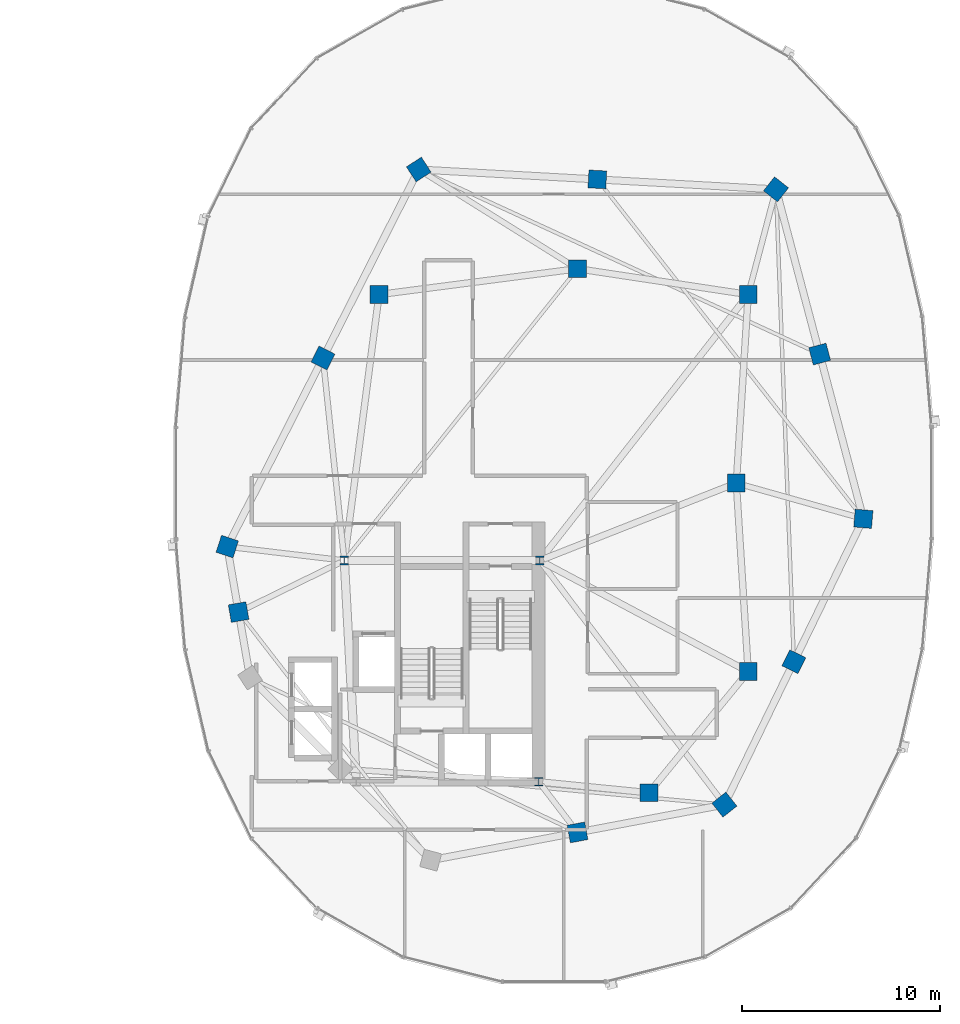
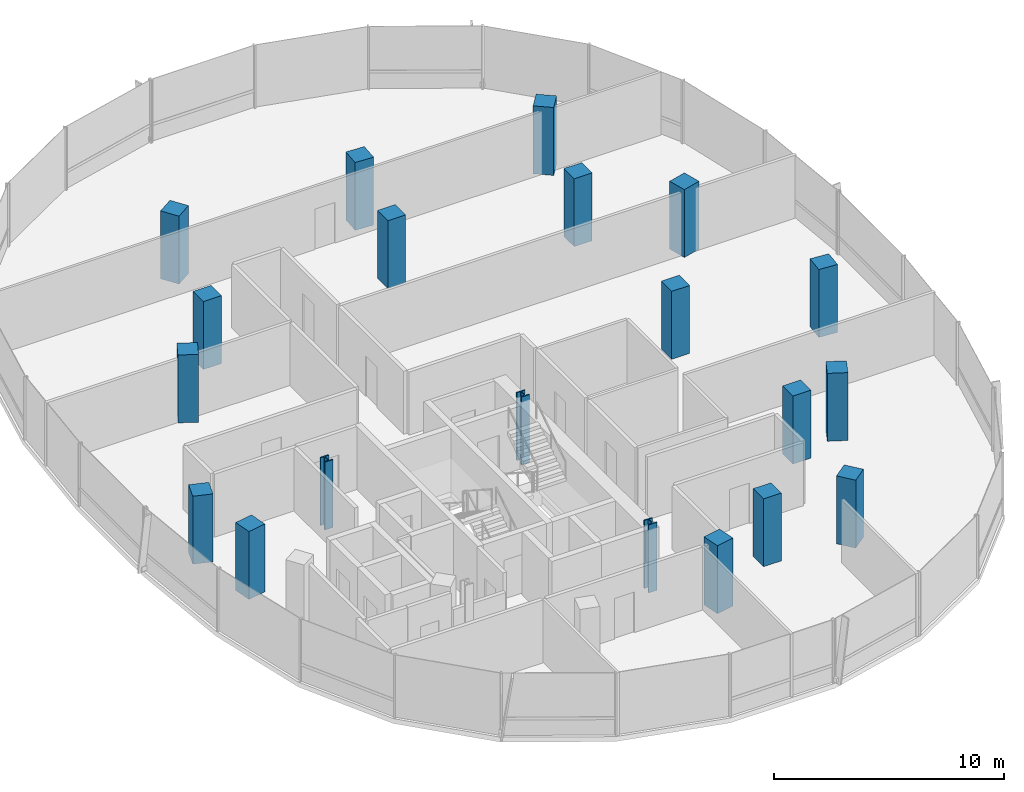
# One storey, part 2 of 25: 20 columns.
"""IFC4 building model written with IfcOpenShell, lengths in metres."""

from ifc_helpers import new_model, si_unit, direction, frame, origin, origin_2d, place, context, subcontext, project, spatial, rectangle, i_section, extrude, material, material_profile, profile_set, type_object, element, save


model = new_model("IFC4")

# Units and contexts
model_context = context("Model", 3, precision=1e-05, world=origin(), true_north=direction((0.0, 1.0)))
body_context = subcontext(model_context, "Body", "Model", "MODEL_VIEW")
ifc_project = project(units=[si_unit("LENGTHUNIT", "METRE"), si_unit("AREAUNIT", "SQUARE_METRE"), si_unit("VOLUMEUNIT", "CUBIC_METRE"), si_unit("PLANEANGLEUNIT", "RADIAN"), si_unit("MASSUNIT", "GRAM", prefix="KILO"), si_unit("THERMODYNAMICTEMPERATUREUNIT", "KELVIN"), si_unit("POWERUNIT", "WATT")], contexts=[model_context])

# Site, building, storey
site_placement = place(None, origin())
site = spatial("IfcSite", under=ifc_project, at=site_placement, CompositionType="ELEMENT")
building_placement = place(site_placement, origin())
building = spatial("IfcBuilding", under=site, at=building_placement, Name="Cundina Bronze Exchange", CompositionType="ELEMENT")
storey_placement = place(building_placement, frame((0.0, 0.0, 224.199951171875)))
storey = spatial("IfcBuildingStorey", under=building, at=storey_placement, Name="L59", CompositionType="ELEMENT", Elevation=224.199951171875)

# Columns
ifc_material_1 = material(Name="Steel ASTM A992 Grade 50", Category="steel")
ifc_material_profile_1 = material_profile(ifc_material_1, i_section(OverallWidth=0.416015625, OverallDepth=0.446044921875, WebThickness=0.0390625, FlangeThickness=0.062744140625, FilletRadius=0.01806640625, at=origin_2d()), Name="W14X342", Category="steel")
ifc_profile_set_1 = profile_set([ifc_material_profile_1], Name="Steel ASTM A992 Grade 50")
column_type_1 = type_object("IfcColumnType", Name="COL-STL-W14B", PredefinedType="COLUMN", material=ifc_profile_set_1)
for number, where, z_axis, x_axis, name in (
    (1, (31.300048828125, -3.89990234375, 0.0), (0.0, 0.0, 1.0), (1.0, 0.0, 0.0), "L59 Core Anchor Column E1"),
    (2, (21.449951171875, -3.89990234375, 0.0), (0.0, 0.0, 1.0), (1.0, 0.0, 0.0), "L59 Core Anchor Column E2"),
    (3, (31.25, -15.050048828125, 0.0), (0.0, 0.0, 1.0), (1.0, 0.0, 0.0), "L59 Core Anchor Column E4"),
):
    element("IfcColumn", number, at=place(storey_placement, frame(where, z_axis=z_axis, x_axis=x_axis)), inside=storey, type_object=column_type_1, Name=name, PredefinedType="COLUMN", context=body_context, shape_type="SweptSolid", body=[
        extrude(i_section(OverallWidth=0.416015625, OverallDepth=0.446044921875, WebThickness=0.0390625, FlangeThickness=0.062744140625, FilletRadius=0.01806640625, at=origin_2d()), origin(), (0.0, 0.0, 1.0), 3.60009765625),
    ])
ifc_material_2 = material(Name="Concrete C50/60", Category="concrete")
ifc_material_profile_2 = material_profile(ifc_material_2, rectangle(XDim=0.89990234375, YDim=0.89990234375, at=origin_2d()), Name="RC900X900", Category="concrete")
ifc_profile_set_2 = profile_set([ifc_material_profile_2], Name="Concrete C50/60")
column_type_2 = type_object("IfcColumnType", Name="COL-Z4-900", PredefinedType="COLUMN", material=ifc_profile_set_2)
for number, where, z_axis, x_axis, name in (
    (4, (41.199951171875, 0.0, 0.0), (0.0, 0.0, 1.0), (1.0, 0.0, 0.0), "L59 E Inner Ring Column 1"),
    (5, (41.800048828125, -9.5, 0.0), (0.0, 0.0, 1.0), (1.0, 0.0, 0.0), "L59 E Inner Ring Column 2"),
    (6, (36.800048828125, -15.60009765625, 0.0), (0.0, 0.0, 1.0), (1.0, 0.0, 0.0), "L59 E Inner Ring Column 3"),
    (7, (41.800048828125, 9.5, 0.0), (0.0, 0.0, 1.0), (1.0, 0.0, 0.0), "L59 E Inner Ring Column 4"),
    (8, (33.199951171875, 10.800048828125, 0.0), (0.0, 0.0, 1.0), (1.0, 0.0, 0.0), "L59 E Inner Ring Column 5"),
    (9, (23.199951171875, 9.5, 0.0), (0.0, 0.0, 1.0), (1.0, 0.0, 0.0), "L59 E Inner Ring Column 6"),
    (10, (15.550048828125, -3.199951171875, 0.0), (0.0, 0.0, 1.0), (-0.315152163383, -0.949041155016, 0.0), "L59 E Perimeter Column 00"),
    (11, (16.125, -6.5, 0.0), (0.0, 0.0, 1.0), (0.171585221787, -0.985169280715, 0.0), "L59 E Perimeter Column 01"),
    (12, (33.199951171875, -17.60009765625, 0.0), (0.0, 0.0, 1.0), (0.98258037664, 0.185838110843, 0.0), "L59 E Perimeter Column 05"),
    (13, (40.60009765625, -16.199951171875, 0.0), (0.0, 0.0, 1.0), (0.785100778485, 0.619368038909, 0.0), "L59 E Perimeter Column 06"),
    (14, (44.10009765625, -9.0, 0.0), (0.0, 0.0, 1.0), (0.437115766651, 0.899405251566, 0.0), "L59 E Perimeter Column 07"),
    (15, (47.60009765625, -1.800048828125, 0.0), (0.0, 0.0, 1.0), (0.083503921245, 0.996507448611, 0.0), "L59 E Perimeter Column 08"),
    (16, (45.39990234375, 6.5, 0.0), (0.0, 0.0, 1.0), (-0.256289373133, 0.966600102017, 0.0), "L59 E Perimeter Column 09"),
    (17, (43.199951171875, 14.800048828125, 0.0), (0.0, 0.0, 1.0), (-0.786288432137, 0.61785961309, 0.0), "L59 E Perimeter Column 10"),
    (18, (34.199951171875, 15.300048828125, 0.0), (0.0, 0.0, 1.0), (-0.998460188734, 0.055472980025, 0.0), "L59 E Perimeter Column 11"),
    (19, (25.199951171875, 15.800048828125, 0.0), (0.0, 0.0, 1.0), (-0.838099763533, -0.545516989988, 0.0), "L59 E Perimeter Column 12"),
    (20, (20.375, 6.300048828125, 0.0), (0.0, 0.0, 1.0), (-0.452901591366, -0.891560513111, 0.0), "L59 E Perimeter Column 13"),
):
    element("IfcColumn", number, at=place(storey_placement, frame(where, z_axis=z_axis, x_axis=x_axis)), inside=storey, type_object=column_type_2, Name=name, PredefinedType="COLUMN", context=body_context, shape_type="SweptSolid", body=[
        extrude(rectangle(XDim=0.89990234375, YDim=0.89990234375, at=origin_2d()), origin(), (0.0, 0.0, 1.0), 3.60009765625),
    ])

save(model, "model.ifc")
